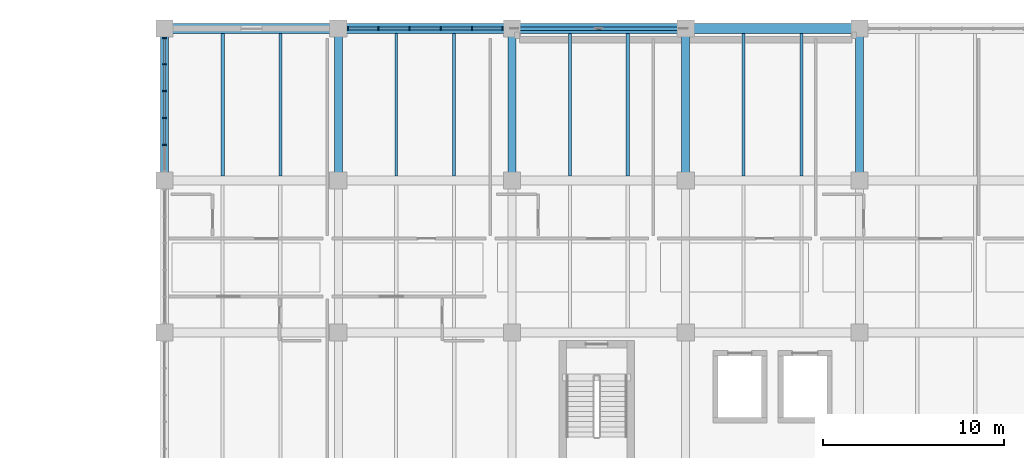
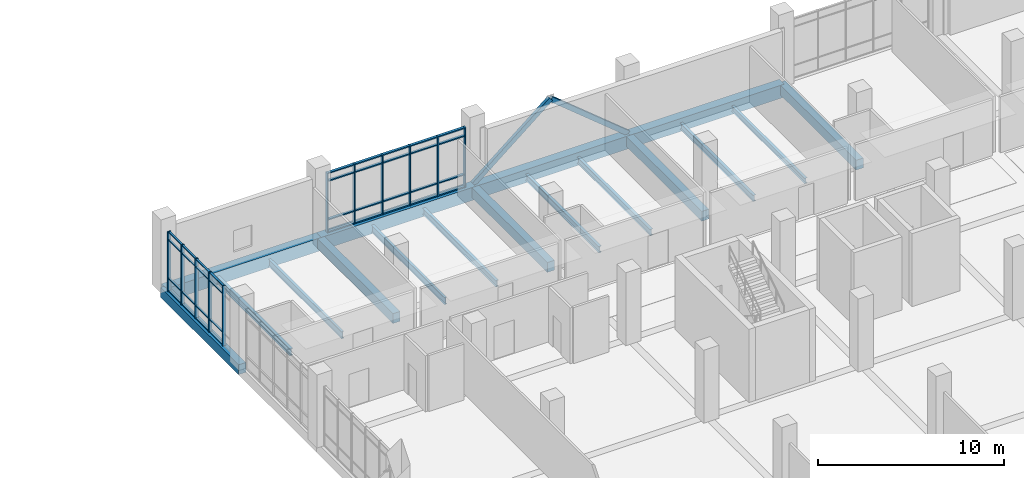
# One storey, part 82 of 152: 49 members, 17 beams, 2 elements without a shape of their own.
"""IFC4 building model written with IfcOpenShell, lengths in metres."""

from ifc_helpers import new_model, si_unit, direction, frame, origin, origin_2d, place, context, subcontext, project, spatial, rectangle, hollow_rectangle, i_section, extrude, material, material_profile, profile_set, type_object, element, aggregate, save


model = new_model("IFC4")

# Units and contexts
model_context = context("Model", 3, precision=1e-05, world=origin(), true_north=direction((0.0, 1.0)))
body_context = subcontext(model_context, "Body", "Model", "MODEL_VIEW")
ifc_project = project(units=[si_unit("LENGTHUNIT", "METRE"), si_unit("AREAUNIT", "SQUARE_METRE"), si_unit("VOLUMEUNIT", "CUBIC_METRE"), si_unit("PLANEANGLEUNIT", "RADIAN"), si_unit("MASSUNIT", "GRAM", prefix="KILO")], contexts=[model_context])

# Site, building, storey
site_placement = place(None, origin())
site = spatial("IfcSite", under=ifc_project, at=site_placement, CompositionType="ELEMENT")
building_placement = place(site_placement, origin())
building = spatial("IfcBuilding", under=site, at=building_placement, Name="Oolite Switchyard Hospital", CompositionType="ELEMENT")
storey_placement = place(building_placement, frame((0.0, 0.0, 5.10009765625)))
storey = spatial("IfcBuildingStorey", under=building, at=storey_placement, Name="L01", CompositionType="ELEMENT", Elevation=5.10009765625)

# Beams
ifc_material_1 = material(Name="Concrete C40/50", Category="concrete")
ifc_material_profile_1 = material_profile(ifc_material_1, rectangle(XDim=0.449951171875, YDim=0.64990234375, at=origin_2d()), Name="RCB450X650")
ifc_profile_set_1 = profile_set([ifc_material_profile_1], Name="Concrete C40/50")
beam_type_1 = type_object("IfcBeamType", Name="BM-RC450X650", PredefinedType="BEAM", material=ifc_profile_set_1)
for number, where, z_axis, x_axis, name in (
    (1, (134.39990234375, 126.0, -0.3251953125), (0.0, 1.0, 0.0), (-1.0, 0.0, 0.0), "L01 Y-Girder 458"),
    (2, (144.0, 126.0, -0.3251953125), (0.0, 1.0, 0.0), (-1.0, 0.0, 0.0), "L01 Y-Girder 473"),
    (3, (153.60009765625, 126.0, -0.3251953125), (0.0, 1.0, 0.0), (-1.0, 0.0, 0.0), "L01 Y-Girder 486"),
    (4, (163.199951171875, 126.0, -0.3251953125), (0.0, 1.0, 0.0), (-1.0, 0.0, 0.0), "L01 Y-Girder 498"),
    (5, (172.800048828125, 126.0, -0.3251953125), (0.0, 1.0, 0.0), (-1.0, 0.0, 0.0), "L01 Y-Girder 508"),
):
    element("IfcBeam", number, at=place(storey_placement, frame(where, z_axis=z_axis, x_axis=x_axis)), inside=storey, type_object=beam_type_1, Name=name, PredefinedType="BEAM", context=body_context, shape_type="SweptSolid", body=[
        extrude(rectangle(XDim=0.449951171875, YDim=0.64990234375, at=origin_2d()), origin(), (0.0, 0.0, 1.0), 8.39990234375),
    ])
ifc_material_profile_2 = material_profile(ifc_material_1, rectangle(XDim=0.550048828125, YDim=0.85009765625, at=origin_2d()), Name="RCB550X850")
ifc_profile_set_2 = profile_set([ifc_material_profile_2], Name="Concrete C40/50")
beam_type_2 = type_object("IfcBeamType", Name="BM-RC550X850", PredefinedType="BEAM", material=ifc_profile_set_2)
for number, where, z_axis, x_axis, name in (
    (6, (134.39990234375, 134.39990234375, -0.425048828125), (1.0, 0.0, 0.0), (0.0, 1.0, 0.0), "L01 X-Girder 278"),
    (7, (144.0, 134.39990234375, -0.425048828125), (1.0, 0.0, 0.0), (0.0, 1.0, 0.0), "L01 X-Girder 279"),
):
    element("IfcBeam", number, at=place(storey_placement, frame(where, z_axis=z_axis, x_axis=x_axis)), inside=storey, type_object=beam_type_2, Name=name, PredefinedType="BEAM", context=body_context, shape_type="SweptSolid", body=[
        extrude(rectangle(XDim=0.550048828125, YDim=0.85009765625, at=origin_2d()), origin(), (0.0, 0.0, 1.0), 9.60009765625),
    ])
beam_1_placement = place(storey_placement, frame((153.60009765625, 134.39990234375, -0.425048828125), z_axis=(1.0, 0.0, 0.0), x_axis=(0.0, 1.0, 0.0)))
element("IfcBeam", 8, at=beam_1_placement, inside=storey, type_object=beam_type_2, Name="L01 X-Girder 280", PredefinedType="BEAM", context=body_context, shape_type="SweptSolid", body=[
    extrude(rectangle(XDim=0.550048828125, YDim=0.85009765625, at=origin_2d()), origin(), (0.0, 0.0, 1.0), 9.599853515625),
])
beam_2_placement = place(storey_placement, frame((163.199951171875, 134.39990234375, -0.425048828125), z_axis=(1.0, 0.0, 0.0), x_axis=(0.0, 1.0, 0.0)))
element("IfcBeam", 9, at=beam_2_placement, inside=storey, type_object=beam_type_2, Name="L01 X-Girder 281", PredefinedType="BEAM", context=body_context, shape_type="SweptSolid", body=[
    extrude(rectangle(XDim=0.550048828125, YDim=0.85009765625, at=origin_2d()), origin(), (0.0, 0.0, 1.0), 9.60009765625),
])
ifc_material_2 = material(Name="Steel ASTM A992 Grade 50", Category="steel")
ifc_material_profile_3 = material_profile(ifc_material_2, i_section(OverallWidth=0.1708984375, OverallDepth=0.35107421875, WebThickness=0.007080078125, FlangeThickness=0.010009765625, at=origin_2d()), Name="W14X30")
ifc_profile_set_3 = profile_set([ifc_material_profile_3], Name="Steel ASTM A992 Grade 50")
beam_type_3 = type_object("IfcBeamType", Name="BM-W14X30", PredefinedType="JOIST", material=ifc_profile_set_3)
beam_3_placement = place(storey_placement, frame((169.60009765625, 126.25, -0.4501953125), z_axis=(0.0, 1.0, 0.0), x_axis=(-1.0, 0.0, 0.0)))
element("IfcBeam", 10, at=beam_3_placement, inside=storey, type_object=beam_type_3, Name="L01 Secondary Steel Joist 911", PredefinedType="JOIST", context=body_context, shape_type="SweptSolid", body=[
    extrude(i_section(OverallWidth=0.1708984375, OverallDepth=0.35107421875, WebThickness=0.007080078125, FlangeThickness=0.010009765625, at=origin_2d()), origin(), (0.0, 0.0, 1.0), 7.875),
])
ifc_material_profile_4 = material_profile(ifc_material_2, i_section(OverallWidth=0.177978515625, OverallDepth=0.403076171875, WebThickness=0.008056640625, FlangeThickness=0.010986328125, at=origin_2d()), Name="W16X36")
ifc_profile_set_4 = profile_set([ifc_material_profile_4], Name="Steel ASTM A992 Grade 50")
beam_type_4 = type_object("IfcBeamType", Name="BM-W16X36", PredefinedType="JOIST", material=ifc_profile_set_4)
for number, where, z_axis, x_axis, name in (
    (11, (160.0, 126.25, -0.47705078125), (0.0, 1.0, 0.0), (-1.0, 0.0, 0.0), "L01 Secondary Steel Joist 891"),
    (12, (166.39990234375, 126.25, -0.47705078125), (0.0, 1.0, 0.0), (-1.0, 0.0, 0.0), "L01 Secondary Steel Joist 910"),
):
    element("IfcBeam", number, at=place(storey_placement, frame(where, z_axis=z_axis, x_axis=x_axis)), inside=storey, type_object=beam_type_4, Name=name, PredefinedType="JOIST", context=body_context, shape_type="SweptSolid", body=[
        extrude(i_section(OverallWidth=0.177978515625, OverallDepth=0.403076171875, WebThickness=0.008056640625, FlangeThickness=0.010986328125, at=origin_2d()), origin(), (0.0, 0.0, 1.0), 7.875),
    ])
ifc_material_profile_5 = material_profile(ifc_material_2, i_section(OverallWidth=0.179931640625, OverallDepth=0.4130859375, WebThickness=0.010009765625, FlangeThickness=0.01611328125, at=origin_2d()), Name="W16X50")
ifc_profile_set_5 = profile_set([ifc_material_profile_5], Name="Steel ASTM A992 Grade 50")
beam_type_5 = type_object("IfcBeamType", Name="BM-W16X50", PredefinedType="JOIST", material=ifc_profile_set_5)
for number, where, z_axis, x_axis, name in (
    (13, (150.39990234375, 126.25, -0.482177734375), (0.0, 1.0, 0.0), (-1.0, 0.0, 0.0), "L01 Secondary Steel Joist 871"),
    (14, (156.800048828125, 126.25, -0.482177734375), (0.0, 1.0, 0.0), (-1.0, 0.0, 0.0), "L01 Secondary Steel Joist 890"),
):
    element("IfcBeam", number, at=place(storey_placement, frame(where, z_axis=z_axis, x_axis=x_axis)), inside=storey, type_object=beam_type_5, Name=name, PredefinedType="JOIST", context=body_context, shape_type="SweptSolid", body=[
        extrude(i_section(OverallWidth=0.179931640625, OverallDepth=0.4130859375, WebThickness=0.010009765625, FlangeThickness=0.01611328125, at=origin_2d()), origin(), (0.0, 0.0, 1.0), 7.875),
    ])
ifc_material_profile_6 = material_profile(ifc_material_2, i_section(OverallWidth=0.153076171875, OverallDepth=0.455078125, WebThickness=0.008056640625, FlangeThickness=0.012939453125, at=origin_2d()), Name="W18X40")
ifc_profile_set_6 = profile_set([ifc_material_profile_6], Name="Steel ASTM A992 Grade 50")
beam_type_6 = type_object("IfcBeamType", Name="BM-W18X40", PredefinedType="JOIST", material=ifc_profile_set_6)
for number, where, z_axis, x_axis, name in (
    (15, (140.800048828125, 126.25, -0.503173828125), (0.0, 1.0, 0.0), (-1.0, 0.0, 0.0), "L01 Secondary Steel Joist 851"),
    (16, (147.199951171875, 126.25, -0.503173828125), (0.0, 1.0, 0.0), (-1.0, 0.0, 0.0), "L01 Secondary Steel Joist 870"),
):
    element("IfcBeam", number, at=place(storey_placement, frame(where, z_axis=z_axis, x_axis=x_axis)), inside=storey, type_object=beam_type_6, Name=name, PredefinedType="JOIST", context=body_context, shape_type="SweptSolid", body=[
        extrude(i_section(OverallWidth=0.153076171875, OverallDepth=0.455078125, WebThickness=0.008056640625, FlangeThickness=0.012939453125, at=origin_2d()), origin(), (0.0, 0.0, 1.0), 7.875),
    ])
ifc_material_profile_7 = material_profile(ifc_material_2, i_section(OverallWidth=0.19091796875, OverallDepth=0.4599609375, WebThickness=0.010009765625, FlangeThickness=0.01611328125, at=origin_2d()), Name="W18X55")
ifc_profile_set_7 = profile_set([ifc_material_profile_7], Name="Steel ASTM A992 Grade 50")
beam_type_7 = type_object("IfcBeamType", Name="BM-W18X55", PredefinedType="JOIST", material=ifc_profile_set_7)
beam_4_placement = place(storey_placement, frame((137.60009765625, 126.25, -0.505126953125), z_axis=(0.0, 1.0, 0.0), x_axis=(-1.0, 0.0, 0.0)))
element("IfcBeam", 17, at=beam_4_placement, inside=storey, type_object=beam_type_7, Name="L01 Secondary Steel Joist 850", PredefinedType="JOIST", context=body_context, shape_type="SweptSolid", body=[
    extrude(i_section(OverallWidth=0.19091796875, OverallDepth=0.4599609375, WebThickness=0.010009765625, FlangeThickness=0.01611328125, at=origin_2d()), origin(), (0.0, 0.0, 1.0), 7.875),
])

# Curtain wall, members
ifc_material_3 = material(Name="Thermally broken aluminum frame with laminated impact glazing", Category="aluminium")
curtain_wall_type_1 = type_object("IfcCurtainWallType", Name="CW-UNIT-96X48", PredefinedType="USERDEFINED", material=ifc_material_3)
curtain_wall_1_placement = place(storey_placement, origin())
curtain_wall_1 = element("IfcCurtainWall", 18, at=curtain_wall_1_placement, inside=storey, type_object=curtain_wall_type_1, Name="L01 Unitised Curtain Wall 157", ObjectType="UNITISED", PredefinedType="USERDEFINED")
ifc_material_4 = material(Name="Aluminium 6063-T6", Category="aluminium")
ifc_material_profile_8 = material_profile(ifc_material_4, rectangle(XDim=0.199951171875, YDim=0.074951171875, at=origin_2d()), Name="CWM75X200")
ifc_profile_set_8 = profile_set([ifc_material_profile_8], Name="Aluminium 6063-T6")
member_type_1 = type_object("IfcMemberType", Name="CW-MUL-260", PredefinedType="MULLION", material=ifc_profile_set_8)
member_1_placement = place(storey_placement, frame((144.527587890625, 134.39990234375, 0.0), z_axis=(0.0, 0.0, 1.0), x_axis=(0.0, 1.0, 0.0)))
member_1 = element("IfcMember", 19, at=member_1_placement, type_object=member_type_1, Name="CW-02 mullion 1", PredefinedType="MULLION", context=body_context, shape_type="SweptSolid", body=[
    extrude(rectangle(XDim=0.199951171875, YDim=0.074951171875, at=origin_2d()), origin(), (0.0, 0.0, 1.0), 3.93994140625),
])
member_2_placement = place(storey_placement, frame((146.214111328125, 134.39990234375, 0.0), z_axis=(0.0, 0.0, 1.0), x_axis=(0.0, 1.0, 0.0)))
member_2 = element("IfcMember", 20, at=member_2_placement, type_object=member_type_1, Name="CW-02 mullion 2", PredefinedType="MULLION", context=body_context, shape_type="SweptSolid", body=[
    extrude(rectangle(XDim=0.199951171875, YDim=0.074951171875, at=origin_2d()), origin(), (0.0, 0.0, 1.0), 3.93994140625),
])
member_3_placement = place(storey_placement, frame((147.93798828125, 134.39990234375, 0.0), z_axis=(0.0, 0.0, 1.0), x_axis=(0.0, 1.0, 0.0)))
member_3 = element("IfcMember", 21, at=member_3_placement, type_object=member_type_1, Name="CW-02 mullion 3", PredefinedType="MULLION", context=body_context, shape_type="SweptSolid", body=[
    extrude(rectangle(XDim=0.199951171875, YDim=0.074951171875, at=origin_2d()), origin(), (0.0, 0.0, 1.0), 3.93994140625),
])
member_4_placement = place(storey_placement, frame((149.662109375, 134.39990234375, 0.0), z_axis=(0.0, 0.0, 1.0), x_axis=(0.0, 1.0, 0.0)))
member_4 = element("IfcMember", 22, at=member_4_placement, type_object=member_type_1, Name="CW-02 mullion 4", PredefinedType="MULLION", context=body_context, shape_type="SweptSolid", body=[
    extrude(rectangle(XDim=0.199951171875, YDim=0.074951171875, at=origin_2d()), origin(), (0.0, 0.0, 1.0), 3.93994140625),
])
member_5_placement = place(storey_placement, frame((151.385986328125, 134.39990234375, 0.0), z_axis=(0.0, 0.0, 1.0), x_axis=(0.0, 1.0, 0.0)))
member_5 = element("IfcMember", 23, at=member_5_placement, type_object=member_type_1, Name="CW-02 mullion 5", PredefinedType="MULLION", context=body_context, shape_type="SweptSolid", body=[
    extrude(rectangle(XDim=0.199951171875, YDim=0.074951171875, at=origin_2d()), origin(), (0.0, 0.0, 1.0), 3.93994140625),
])
member_6_placement = place(storey_placement, frame((153.072509765625, 134.39990234375, 0.0), z_axis=(0.0, 0.0, 1.0), x_axis=(0.0, 1.0, 0.0)))
member_6 = element("IfcMember", 24, at=member_6_placement, type_object=member_type_1, Name="CW-02 mullion 6", PredefinedType="MULLION", context=body_context, shape_type="SweptSolid", body=[
    extrude(rectangle(XDim=0.199951171875, YDim=0.074951171875, at=origin_2d()), origin(), (0.0, 0.0, 1.0), 3.93994140625),
])

curtain_wall_type_2 = type_object("IfcCurtainWallType", Name="CW-UNIT-84X48", PredefinedType="USERDEFINED", material=ifc_material_3)
curtain_wall_2_placement = place(storey_placement, origin())
curtain_wall_2 = element("IfcCurtainWall", 25, at=curtain_wall_2_placement, inside=storey, type_object=curtain_wall_type_2, Name="L01 Unitised Curtain Wall 190", ObjectType="UNITISED", PredefinedType="USERDEFINED")
member_7_placement = place(storey_placement, frame((134.39990234375, 127.97412109375, 0.0), z_axis=(0.0, 0.0, 1.0), x_axis=(-1.0, 0.0, 0.0)))
member_7 = element("IfcMember", 26, at=member_7_placement, type_object=member_type_1, Name="CW-07 mullion 2", PredefinedType="MULLION", context=body_context, shape_type="SweptSolid", body=[
    extrude(rectangle(XDim=0.199951171875, YDim=0.074951171875, at=origin_2d()), origin(), (0.0, 0.0, 1.0), 3.93994140625),
])
member_8_placement = place(storey_placement, frame((134.39990234375, 129.4580078125, 0.0), z_axis=(0.0, 0.0, 1.0), x_axis=(-1.0, 0.0, 0.0)))
member_8 = element("IfcMember", 27, at=member_8_placement, type_object=member_type_1, Name="CW-07 mullion 3", PredefinedType="MULLION", context=body_context, shape_type="SweptSolid", body=[
    extrude(rectangle(XDim=0.199951171875, YDim=0.074951171875, at=origin_2d()), origin(), (0.0, 0.0, 1.0), 3.93994140625),
])
member_9_placement = place(storey_placement, frame((134.39990234375, 130.94189453125, 0.0), z_axis=(0.0, 0.0, 1.0), x_axis=(-1.0, 0.0, 0.0)))
member_9 = element("IfcMember", 28, at=member_9_placement, type_object=member_type_1, Name="CW-07 mullion 4", PredefinedType="MULLION", context=body_context, shape_type="SweptSolid", body=[
    extrude(rectangle(XDim=0.199951171875, YDim=0.074951171875, at=origin_2d()), origin(), (0.0, 0.0, 1.0), 3.93994140625),
])
member_10_placement = place(storey_placement, frame((134.39990234375, 132.426025390625, 0.0), z_axis=(0.0, 0.0, 1.0), x_axis=(-1.0, 0.0, 0.0)))
member_10 = element("IfcMember", 29, at=member_10_placement, type_object=member_type_1, Name="CW-07 mullion 5", PredefinedType="MULLION", context=body_context, shape_type="SweptSolid", body=[
    extrude(rectangle(XDim=0.199951171875, YDim=0.074951171875, at=origin_2d()), origin(), (0.0, 0.0, 1.0), 3.93994140625),
])
member_11_placement = place(storey_placement, frame((134.39990234375, 133.87255859375, 0.0), z_axis=(0.0, 0.0, 1.0), x_axis=(-1.0, 0.0, 0.0)))
member_11 = element("IfcMember", 30, at=member_11_placement, type_object=member_type_1, Name="CW-07 mullion 6", PredefinedType="MULLION", context=body_context, shape_type="SweptSolid", body=[
    extrude(rectangle(XDim=0.199951171875, YDim=0.074951171875, at=origin_2d()), origin(), (0.0, 0.0, 1.0), 3.93994140625),
])
ifc_material_profile_9 = material_profile(ifc_material_4, rectangle(XDim=0.1201171875, YDim=0.06005859375, at=origin_2d()), Name="CWT60X120")
ifc_profile_set_9 = profile_set([ifc_material_profile_9], Name="Aluminium 6063-T6")
member_type_2 = type_object("IfcMemberType", Name="CW-TRN-150", PredefinedType="USERDEFINED", material=ifc_profile_set_9)
member_12_placement = place(storey_placement, frame((134.39990234375, 128.011474609375, 0.02978515625), z_axis=(0.0, 1.0, 0.0), x_axis=(-1.0, 0.0, 0.0)))
member_12 = element("IfcMember", 31, at=member_12_placement, type_object=member_type_2, Name="CW-07 transom 2.1", ObjectType="TRANSOM", PredefinedType="USERDEFINED", context=body_context, shape_type="SweptSolid", body=[
    extrude(rectangle(XDim=0.1201171875, YDim=0.06005859375, at=origin_2d()), origin(), (0.0, 0.0, 1.0), 1.408935546875),
])
member_13_placement = place(storey_placement, frame((134.39990234375, 128.011474609375, 0.849853515625), z_axis=(0.0, 1.0, 0.0), x_axis=(-1.0, 0.0, 0.0)))
member_13 = element("IfcMember", 32, at=member_13_placement, type_object=member_type_2, Name="CW-07 transom 2.2", ObjectType="TRANSOM", PredefinedType="USERDEFINED", context=body_context, shape_type="SweptSolid", body=[
    extrude(rectangle(XDim=0.1201171875, YDim=0.06005859375, at=origin_2d()), origin(), (0.0, 0.0, 1.0), 1.408935546875),
])
member_14_placement = place(storey_placement, frame((134.39990234375, 128.011474609375, 3.389892578125), z_axis=(0.0, 1.0, 0.0), x_axis=(-1.0, 0.0, 0.0)))
member_14 = element("IfcMember", 33, at=member_14_placement, type_object=member_type_2, Name="CW-07 transom 2.3", ObjectType="TRANSOM", PredefinedType="USERDEFINED", context=body_context, shape_type="SweptSolid", body=[
    extrude(rectangle(XDim=0.1201171875, YDim=0.06005859375, at=origin_2d()), origin(), (0.0, 0.0, 1.0), 1.408935546875),
])
member_15_placement = place(storey_placement, frame((134.39990234375, 128.011474609375, 3.909912109375), z_axis=(0.0, 1.0, 0.0), x_axis=(-1.0, 0.0, 0.0)))
member_15 = element("IfcMember", 34, at=member_15_placement, type_object=member_type_2, Name="CW-07 transom 2.4", ObjectType="TRANSOM", PredefinedType="USERDEFINED", context=body_context, shape_type="SweptSolid", body=[
    extrude(rectangle(XDim=0.1201171875, YDim=0.06005859375, at=origin_2d()), origin(), (0.0, 0.0, 1.0), 1.408935546875),
])
member_16_placement = place(storey_placement, frame((134.39990234375, 129.49560546875, 0.02978515625), z_axis=(0.0, 1.0, 0.0), x_axis=(-1.0, 0.0, 0.0)))
member_16 = element("IfcMember", 35, at=member_16_placement, type_object=member_type_2, Name="CW-07 transom 3.1", ObjectType="TRANSOM", PredefinedType="USERDEFINED", context=body_context, shape_type="SweptSolid", body=[
    extrude(rectangle(XDim=0.1201171875, YDim=0.06005859375, at=origin_2d()), origin(), (0.0, 0.0, 1.0), 1.408935546875),
])
member_17_placement = place(storey_placement, frame((134.39990234375, 129.49560546875, 0.849853515625), z_axis=(0.0, 1.0, 0.0), x_axis=(-1.0, 0.0, 0.0)))
member_17 = element("IfcMember", 36, at=member_17_placement, type_object=member_type_2, Name="CW-07 transom 3.2", ObjectType="TRANSOM", PredefinedType="USERDEFINED", context=body_context, shape_type="SweptSolid", body=[
    extrude(rectangle(XDim=0.1201171875, YDim=0.06005859375, at=origin_2d()), origin(), (0.0, 0.0, 1.0), 1.408935546875),
])
member_18_placement = place(storey_placement, frame((134.39990234375, 129.49560546875, 3.389892578125), z_axis=(0.0, 1.0, 0.0), x_axis=(-1.0, 0.0, 0.0)))
member_18 = element("IfcMember", 37, at=member_18_placement, type_object=member_type_2, Name="CW-07 transom 3.3", ObjectType="TRANSOM", PredefinedType="USERDEFINED", context=body_context, shape_type="SweptSolid", body=[
    extrude(rectangle(XDim=0.1201171875, YDim=0.06005859375, at=origin_2d()), origin(), (0.0, 0.0, 1.0), 1.408935546875),
])
member_19_placement = place(storey_placement, frame((134.39990234375, 129.49560546875, 3.909912109375), z_axis=(0.0, 1.0, 0.0), x_axis=(-1.0, 0.0, 0.0)))
member_19 = element("IfcMember", 38, at=member_19_placement, type_object=member_type_2, Name="CW-07 transom 3.4", ObjectType="TRANSOM", PredefinedType="USERDEFINED", context=body_context, shape_type="SweptSolid", body=[
    extrude(rectangle(XDim=0.1201171875, YDim=0.06005859375, at=origin_2d()), origin(), (0.0, 0.0, 1.0), 1.408935546875),
])
member_20_placement = place(storey_placement, frame((134.39990234375, 130.9794921875, 0.02978515625), z_axis=(0.0, 1.0, 0.0), x_axis=(-1.0, 0.0, 0.0)))
member_20 = element("IfcMember", 39, at=member_20_placement, type_object=member_type_2, Name="CW-07 transom 4.1", ObjectType="TRANSOM", PredefinedType="USERDEFINED", context=body_context, shape_type="SweptSolid", body=[
    extrude(rectangle(XDim=0.1201171875, YDim=0.06005859375, at=origin_2d()), origin(), (0.0, 0.0, 1.0), 1.408935546875),
])
member_21_placement = place(storey_placement, frame((134.39990234375, 130.9794921875, 0.849853515625), z_axis=(0.0, 1.0, 0.0), x_axis=(-1.0, 0.0, 0.0)))
member_21 = element("IfcMember", 40, at=member_21_placement, type_object=member_type_2, Name="CW-07 transom 4.2", ObjectType="TRANSOM", PredefinedType="USERDEFINED", context=body_context, shape_type="SweptSolid", body=[
    extrude(rectangle(XDim=0.1201171875, YDim=0.06005859375, at=origin_2d()), origin(), (0.0, 0.0, 1.0), 1.408935546875),
])
member_22_placement = place(storey_placement, frame((134.39990234375, 130.9794921875, 3.389892578125), z_axis=(0.0, 1.0, 0.0), x_axis=(-1.0, 0.0, 0.0)))
member_22 = element("IfcMember", 41, at=member_22_placement, type_object=member_type_2, Name="CW-07 transom 4.3", ObjectType="TRANSOM", PredefinedType="USERDEFINED", context=body_context, shape_type="SweptSolid", body=[
    extrude(rectangle(XDim=0.1201171875, YDim=0.06005859375, at=origin_2d()), origin(), (0.0, 0.0, 1.0), 1.408935546875),
])
member_23_placement = place(storey_placement, frame((134.39990234375, 130.9794921875, 3.909912109375), z_axis=(0.0, 1.0, 0.0), x_axis=(-1.0, 0.0, 0.0)))
member_23 = element("IfcMember", 42, at=member_23_placement, type_object=member_type_2, Name="CW-07 transom 4.4", ObjectType="TRANSOM", PredefinedType="USERDEFINED", context=body_context, shape_type="SweptSolid", body=[
    extrude(rectangle(XDim=0.1201171875, YDim=0.06005859375, at=origin_2d()), origin(), (0.0, 0.0, 1.0), 1.408935546875),
])
member_24_placement = place(storey_placement, frame((134.39990234375, 132.46337890625, 0.02978515625), z_axis=(0.0, 1.0, 0.0), x_axis=(-1.0, 0.0, 0.0)))
member_24 = element("IfcMember", 43, at=member_24_placement, type_object=member_type_2, Name="CW-07 transom 5.1", ObjectType="TRANSOM", PredefinedType="USERDEFINED", context=body_context, shape_type="SweptSolid", body=[
    extrude(rectangle(XDim=0.1201171875, YDim=0.06005859375, at=origin_2d()), origin(), (0.0, 0.0, 1.0), 1.37158203125),
])
member_25_placement = place(storey_placement, frame((134.39990234375, 132.46337890625, 0.849853515625), z_axis=(0.0, 1.0, 0.0), x_axis=(-1.0, 0.0, 0.0)))
member_25 = element("IfcMember", 44, at=member_25_placement, type_object=member_type_2, Name="CW-07 transom 5.2", ObjectType="TRANSOM", PredefinedType="USERDEFINED", context=body_context, shape_type="SweptSolid", body=[
    extrude(rectangle(XDim=0.1201171875, YDim=0.06005859375, at=origin_2d()), origin(), (0.0, 0.0, 1.0), 1.37158203125),
])
member_26_placement = place(storey_placement, frame((134.39990234375, 132.46337890625, 3.389892578125), z_axis=(0.0, 1.0, 0.0), x_axis=(-1.0, 0.0, 0.0)))
member_26 = element("IfcMember", 45, at=member_26_placement, type_object=member_type_2, Name="CW-07 transom 5.3", ObjectType="TRANSOM", PredefinedType="USERDEFINED", context=body_context, shape_type="SweptSolid", body=[
    extrude(rectangle(XDim=0.1201171875, YDim=0.06005859375, at=origin_2d()), origin(), (0.0, 0.0, 1.0), 1.37158203125),
])
member_27_placement = place(storey_placement, frame((134.39990234375, 132.46337890625, 3.909912109375), z_axis=(0.0, 1.0, 0.0), x_axis=(-1.0, 0.0, 0.0)))
member_27 = element("IfcMember", 46, at=member_27_placement, type_object=member_type_2, Name="CW-07 transom 5.4", ObjectType="TRANSOM", PredefinedType="USERDEFINED", context=body_context, shape_type="SweptSolid", body=[
    extrude(rectangle(XDim=0.1201171875, YDim=0.06005859375, at=origin_2d()), origin(), (0.0, 0.0, 1.0), 1.37158203125),
])
aggregate(curtain_wall_2, [member_7, member_8, member_9, member_10, member_11, member_12, member_13, member_14, member_15, member_16, member_17, member_18, member_19, member_20, member_21, member_22, member_23, member_24, member_25, member_26, member_27])

# Member
ifc_material_profile_10 = material_profile(ifc_material_4, rectangle(XDim=0.159912109375, YDim=0.074951171875, at=origin_2d()), Name="CWT75X160")
ifc_profile_set_10 = profile_set([ifc_material_profile_10], Name="Aluminium 6063-T6")
member_type_3 = type_object("IfcMemberType", Name="CW-TRN-180", PredefinedType="USERDEFINED", material=ifc_profile_set_10)
member_28_placement = place(storey_placement, frame((144.56494140625, 134.39990234375, 0.037353515625), z_axis=(1.0, 0.0, 0.0), x_axis=(0.0, 1.0, 0.0)))
member_28 = element("IfcMember", 47, at=member_28_placement, type_object=member_type_3, Name="CW-02 transom 1.1", ObjectType="TRANSOM", PredefinedType="USERDEFINED", context=body_context, shape_type="SweptSolid", body=[
    extrude(rectangle(XDim=0.159912109375, YDim=0.074951171875, at=origin_2d()), origin(), (0.0, 0.0, 1.0), 1.611572265625),
])

member_29_placement = place(storey_placement, frame((144.56494140625, 134.39990234375, 0.849853515625), z_axis=(1.0, 0.0, 0.0), x_axis=(0.0, 1.0, 0.0)))
member_29 = element("IfcMember", 48, at=member_29_placement, type_object=member_type_3, Name="CW-02 transom 1.2", ObjectType="TRANSOM", PredefinedType="USERDEFINED", context=body_context, shape_type="SweptSolid", body=[
    extrude(rectangle(XDim=0.159912109375, YDim=0.074951171875, at=origin_2d()), origin(), (0.0, 0.0, 1.0), 1.611572265625),
])

member_30_placement = place(storey_placement, frame((144.56494140625, 134.39990234375, 3.389892578125), z_axis=(1.0, 0.0, 0.0), x_axis=(0.0, 1.0, 0.0)))
member_30 = element("IfcMember", 49, at=member_30_placement, type_object=member_type_3, Name="CW-02 transom 1.3", ObjectType="TRANSOM", PredefinedType="USERDEFINED", context=body_context, shape_type="SweptSolid", body=[
    extrude(rectangle(XDim=0.159912109375, YDim=0.074951171875, at=origin_2d()), origin(), (0.0, 0.0, 1.0), 1.611572265625),
])

member_31_placement = place(storey_placement, frame((144.56494140625, 134.39990234375, 3.90234375), z_axis=(1.0, 0.0, 0.0), x_axis=(0.0, 1.0, 0.0)))
member_31 = element("IfcMember", 50, at=member_31_placement, type_object=member_type_3, Name="CW-02 transom 1.4", ObjectType="TRANSOM", PredefinedType="USERDEFINED", context=body_context, shape_type="SweptSolid", body=[
    extrude(rectangle(XDim=0.159912109375, YDim=0.074951171875, at=origin_2d()), origin(), (0.0, 0.0, 1.0), 1.611572265625),
])

member_32_placement = place(storey_placement, frame((146.25146484375, 134.39990234375, 0.037353515625), z_axis=(1.0, 0.0, 0.0), x_axis=(0.0, 1.0, 0.0)))
member_32 = element("IfcMember", 51, at=member_32_placement, type_object=member_type_3, Name="CW-02 transom 2.1", ObjectType="TRANSOM", PredefinedType="USERDEFINED", context=body_context, shape_type="SweptSolid", body=[
    extrude(rectangle(XDim=0.159912109375, YDim=0.074951171875, at=origin_2d()), origin(), (0.0, 0.0, 1.0), 1.64892578125),
])

member_33_placement = place(storey_placement, frame((146.25146484375, 134.39990234375, 0.849853515625), z_axis=(1.0, 0.0, 0.0), x_axis=(0.0, 1.0, 0.0)))
member_33 = element("IfcMember", 52, at=member_33_placement, type_object=member_type_3, Name="CW-02 transom 2.2", ObjectType="TRANSOM", PredefinedType="USERDEFINED", context=body_context, shape_type="SweptSolid", body=[
    extrude(rectangle(XDim=0.159912109375, YDim=0.074951171875, at=origin_2d()), origin(), (0.0, 0.0, 1.0), 1.64892578125),
])

member_34_placement = place(storey_placement, frame((146.25146484375, 134.39990234375, 3.389892578125), z_axis=(1.0, 0.0, 0.0), x_axis=(0.0, 1.0, 0.0)))
member_34 = element("IfcMember", 53, at=member_34_placement, type_object=member_type_3, Name="CW-02 transom 2.3", ObjectType="TRANSOM", PredefinedType="USERDEFINED", context=body_context, shape_type="SweptSolid", body=[
    extrude(rectangle(XDim=0.159912109375, YDim=0.074951171875, at=origin_2d()), origin(), (0.0, 0.0, 1.0), 1.64892578125),
])

member_35_placement = place(storey_placement, frame((146.25146484375, 134.39990234375, 3.90234375), z_axis=(1.0, 0.0, 0.0), x_axis=(0.0, 1.0, 0.0)))
member_35 = element("IfcMember", 54, at=member_35_placement, type_object=member_type_3, Name="CW-02 transom 2.4", ObjectType="TRANSOM", PredefinedType="USERDEFINED", context=body_context, shape_type="SweptSolid", body=[
    extrude(rectangle(XDim=0.159912109375, YDim=0.074951171875, at=origin_2d()), origin(), (0.0, 0.0, 1.0), 1.64892578125),
])

member_36_placement = place(storey_placement, frame((147.9755859375, 134.39990234375, 0.037353515625), z_axis=(1.0, 0.0, 0.0), x_axis=(0.0, 1.0, 0.0)))
member_36 = element("IfcMember", 55, at=member_36_placement, type_object=member_type_3, Name="CW-02 transom 3.1", ObjectType="TRANSOM", PredefinedType="USERDEFINED", context=body_context, shape_type="SweptSolid", body=[
    extrude(rectangle(XDim=0.159912109375, YDim=0.074951171875, at=origin_2d()), origin(), (0.0, 0.0, 1.0), 1.64892578125),
])

member_37_placement = place(storey_placement, frame((147.9755859375, 134.39990234375, 0.849853515625), z_axis=(1.0, 0.0, 0.0), x_axis=(0.0, 1.0, 0.0)))
member_37 = element("IfcMember", 56, at=member_37_placement, type_object=member_type_3, Name="CW-02 transom 3.2", ObjectType="TRANSOM", PredefinedType="USERDEFINED", context=body_context, shape_type="SweptSolid", body=[
    extrude(rectangle(XDim=0.159912109375, YDim=0.074951171875, at=origin_2d()), origin(), (0.0, 0.0, 1.0), 1.64892578125),
])

member_38_placement = place(storey_placement, frame((147.9755859375, 134.39990234375, 3.389892578125), z_axis=(1.0, 0.0, 0.0), x_axis=(0.0, 1.0, 0.0)))
member_38 = element("IfcMember", 57, at=member_38_placement, type_object=member_type_3, Name="CW-02 transom 3.3", ObjectType="TRANSOM", PredefinedType="USERDEFINED", context=body_context, shape_type="SweptSolid", body=[
    extrude(rectangle(XDim=0.159912109375, YDim=0.074951171875, at=origin_2d()), origin(), (0.0, 0.0, 1.0), 1.64892578125),
])

member_39_placement = place(storey_placement, frame((147.9755859375, 134.39990234375, 3.90234375), z_axis=(1.0, 0.0, 0.0), x_axis=(0.0, 1.0, 0.0)))
member_39 = element("IfcMember", 58, at=member_39_placement, type_object=member_type_3, Name="CW-02 transom 3.4", ObjectType="TRANSOM", PredefinedType="USERDEFINED", context=body_context, shape_type="SweptSolid", body=[
    extrude(rectangle(XDim=0.159912109375, YDim=0.074951171875, at=origin_2d()), origin(), (0.0, 0.0, 1.0), 1.64892578125),
])

member_40_placement = place(storey_placement, frame((149.699462890625, 134.39990234375, 0.037353515625), z_axis=(1.0, 0.0, 0.0), x_axis=(0.0, 1.0, 0.0)))
member_40 = element("IfcMember", 59, at=member_40_placement, type_object=member_type_3, Name="CW-02 transom 4.1", ObjectType="TRANSOM", PredefinedType="USERDEFINED", context=body_context, shape_type="SweptSolid", body=[
    extrude(rectangle(XDim=0.159912109375, YDim=0.074951171875, at=origin_2d()), origin(), (0.0, 0.0, 1.0), 1.64892578125),
])

member_41_placement = place(storey_placement, frame((149.699462890625, 134.39990234375, 0.849853515625), z_axis=(1.0, 0.0, 0.0), x_axis=(0.0, 1.0, 0.0)))
member_41 = element("IfcMember", 60, at=member_41_placement, type_object=member_type_3, Name="CW-02 transom 4.2", ObjectType="TRANSOM", PredefinedType="USERDEFINED", context=body_context, shape_type="SweptSolid", body=[
    extrude(rectangle(XDim=0.159912109375, YDim=0.074951171875, at=origin_2d()), origin(), (0.0, 0.0, 1.0), 1.64892578125),
])

member_42_placement = place(storey_placement, frame((149.699462890625, 134.39990234375, 3.389892578125), z_axis=(1.0, 0.0, 0.0), x_axis=(0.0, 1.0, 0.0)))
member_42 = element("IfcMember", 61, at=member_42_placement, type_object=member_type_3, Name="CW-02 transom 4.3", ObjectType="TRANSOM", PredefinedType="USERDEFINED", context=body_context, shape_type="SweptSolid", body=[
    extrude(rectangle(XDim=0.159912109375, YDim=0.074951171875, at=origin_2d()), origin(), (0.0, 0.0, 1.0), 1.64892578125),
])

member_43_placement = place(storey_placement, frame((149.699462890625, 134.39990234375, 3.90234375), z_axis=(1.0, 0.0, 0.0), x_axis=(0.0, 1.0, 0.0)))
member_43 = element("IfcMember", 62, at=member_43_placement, type_object=member_type_3, Name="CW-02 transom 4.4", ObjectType="TRANSOM", PredefinedType="USERDEFINED", context=body_context, shape_type="SweptSolid", body=[
    extrude(rectangle(XDim=0.159912109375, YDim=0.074951171875, at=origin_2d()), origin(), (0.0, 0.0, 1.0), 1.64892578125),
])

member_44_placement = place(storey_placement, frame((151.423583984375, 134.39990234375, 0.037353515625), z_axis=(1.0, 0.0, 0.0), x_axis=(0.0, 1.0, 0.0)))
member_44 = element("IfcMember", 63, at=member_44_placement, type_object=member_type_3, Name="CW-02 transom 5.1", ObjectType="TRANSOM", PredefinedType="USERDEFINED", context=body_context, shape_type="SweptSolid", body=[
    extrude(rectangle(XDim=0.159912109375, YDim=0.074951171875, at=origin_2d()), origin(), (0.0, 0.0, 1.0), 1.611328125),
])

member_45_placement = place(storey_placement, frame((151.423583984375, 134.39990234375, 0.849853515625), z_axis=(1.0, 0.0, 0.0), x_axis=(0.0, 1.0, 0.0)))
member_45 = element("IfcMember", 64, at=member_45_placement, type_object=member_type_3, Name="CW-02 transom 5.2", ObjectType="TRANSOM", PredefinedType="USERDEFINED", context=body_context, shape_type="SweptSolid", body=[
    extrude(rectangle(XDim=0.159912109375, YDim=0.074951171875, at=origin_2d()), origin(), (0.0, 0.0, 1.0), 1.611328125),
])

member_46_placement = place(storey_placement, frame((151.423583984375, 134.39990234375, 3.389892578125), z_axis=(1.0, 0.0, 0.0), x_axis=(0.0, 1.0, 0.0)))
member_46 = element("IfcMember", 65, at=member_46_placement, type_object=member_type_3, Name="CW-02 transom 5.3", ObjectType="TRANSOM", PredefinedType="USERDEFINED", context=body_context, shape_type="SweptSolid", body=[
    extrude(rectangle(XDim=0.159912109375, YDim=0.074951171875, at=origin_2d()), origin(), (0.0, 0.0, 1.0), 1.611328125),
])

member_47_placement = place(storey_placement, frame((151.423583984375, 134.39990234375, 3.90234375), z_axis=(1.0, 0.0, 0.0), x_axis=(0.0, 1.0, 0.0)))
member_47 = element("IfcMember", 66, at=member_47_placement, type_object=member_type_3, Name="CW-02 transom 5.4", ObjectType="TRANSOM", PredefinedType="USERDEFINED", context=body_context, shape_type="SweptSolid", body=[
    extrude(rectangle(XDim=0.159912109375, YDim=0.074951171875, at=origin_2d()), origin(), (0.0, 0.0, 1.0), 1.611328125),
])

aggregate(curtain_wall_1, [member_1, member_2, member_3, member_4, member_5, member_6, member_28, member_29, member_30, member_31, member_32, member_33, member_34, member_35, member_36, member_37, member_38, member_39, member_40, member_41, member_42, member_43, member_44, member_45, member_46, member_47])

# Members
ifc_material_5 = material(Name="Steel ASTM A500 Grade C", Category="steel")
ifc_material_profile_11 = material_profile(ifc_material_5, hollow_rectangle(XDim=0.202880859375, YDim=0.304931640625, WallThickness=0.012939453125, at=origin_2d()), Name="HSS305X203X13")
ifc_profile_set_11 = profile_set([ifc_material_profile_11], Name="Steel ASTM A500 Grade C")
member_type_4 = type_object("IfcMemberType", Name="MEM-BR-RHS305", PredefinedType="BRACE", material=ifc_profile_set_11)
member_48_placement = place(storey_placement, frame((153.60009765625, 134.39990234375, 0.02001953125), z_axis=(0.773734559997, 0.0, 0.633509929414), x_axis=(0.0, 1.0, 0.0)))
element("IfcMember", 67, at=member_48_placement, inside=storey, type_object=member_type_4, Name="L01 Chevron Brace 31", PredefinedType="BRACE", context=body_context, shape_type="SweptSolid", body=[
    extrude(hollow_rectangle(XDim=0.202880859375, YDim=0.304931640625, WallThickness=0.012939453125, at=origin_2d()), origin(), (0.0, 0.0, 1.0), 6.203369140625),
])
member_49_placement = place(storey_placement, frame((163.199951171875, 134.39990234375, 0.02001953125), z_axis=(-0.77375035412, 0.0, 0.633490638842), x_axis=(0.0, -1.0, 0.0)))
element("IfcMember", 68, at=member_49_placement, inside=storey, type_object=member_type_4, Name="L01 Chevron Brace 32", PredefinedType="BRACE", context=body_context, shape_type="SweptSolid", body=[
    extrude(hollow_rectangle(XDim=0.202880859375, YDim=0.304931640625, WallThickness=0.012939453125, at=origin_2d()), origin(), (0.0, 0.0, 1.0), 6.20361328125),
])

save(model, "model.ifc")
